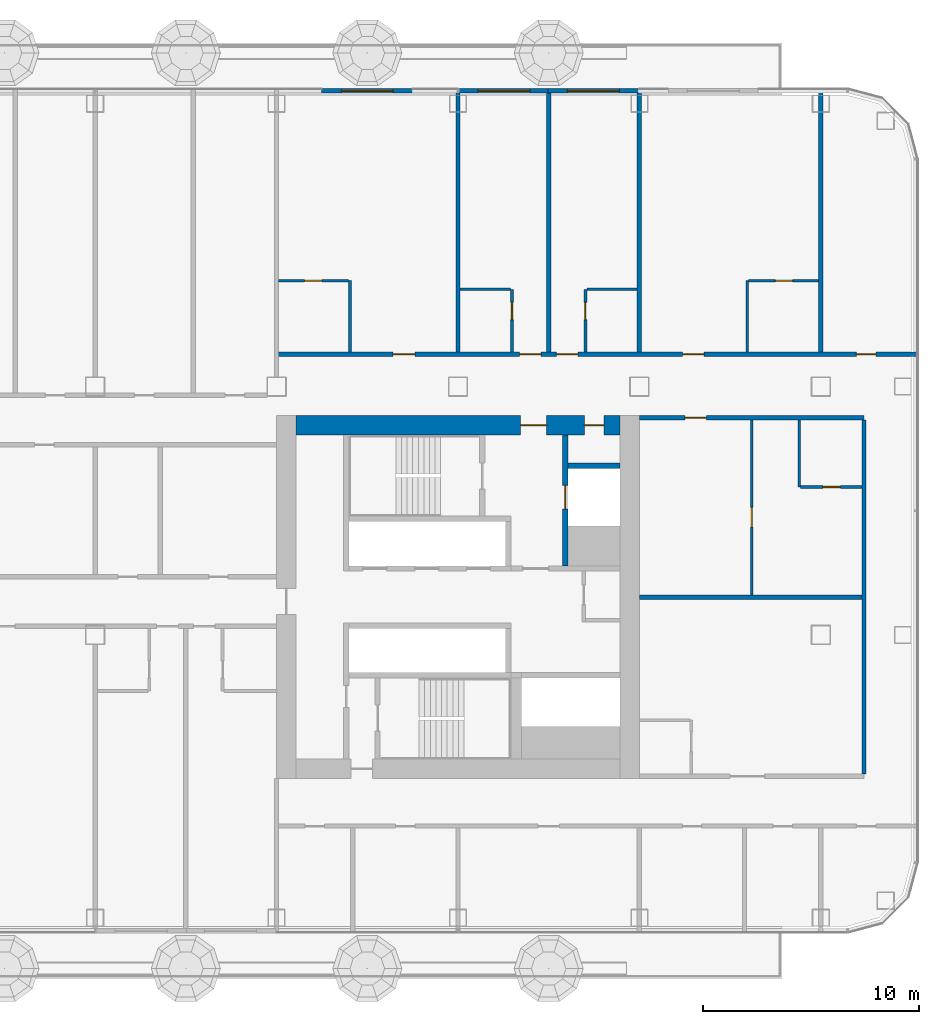
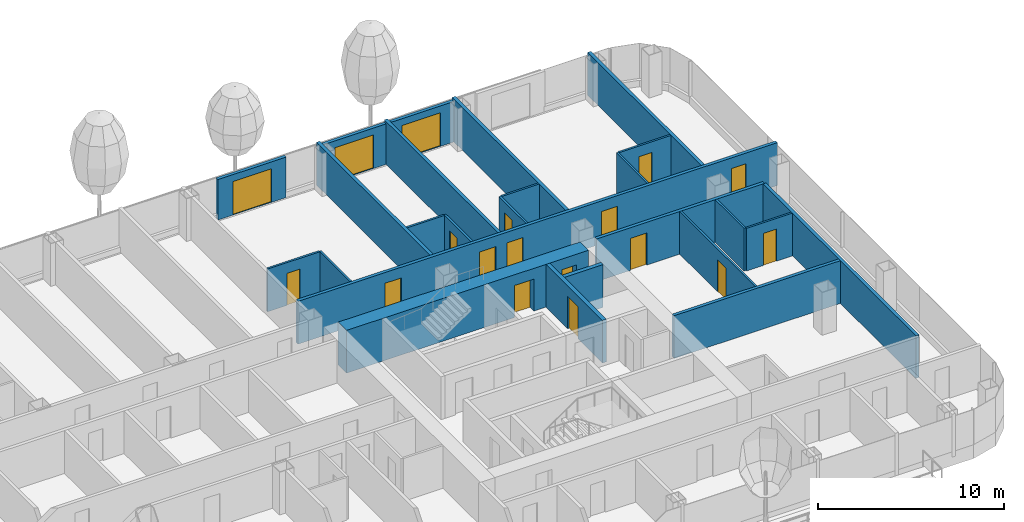
# One storey, part 17 of 33: 25 walls, 18 doors, 18 openings, 1 element without a shape of its own.
"""IFC4 building model written with IfcOpenShell, lengths in metres."""

import ifcopenshell
import ifcopenshell.guid

model = None  # the IFC model being written
_history = None  # IfcOwnerHistory: only IFC2X3 demands one
_inside = {}  # id of a spatial element -> (the spatial element, [elements in it])
_under = {}  # id of a project, library or spatial element -> (it, [spatial elements below it])
_declared = {}  # id of a project -> (the project, [libraries it declares])
_typed = {}  # id of a type object -> (the type object, [elements of that type])
_made_of = {}  # id of a material, layer set ... -> (it, [elements and type objects made of it])


def new_model(schema):
    """Start an empty IFC model of exactly this schema.

    Asked for "IFC4X3", IfcOpenShell would pick the latest addendum, in which some entities
    have other attributes; the version numbers below select the first issue.
    IFC2X3 requires an IfcOwnerHistory on every rooted entity: one is made here for all.
    """
    global model, _history
    if schema == "IFC4X3":
        model = ifcopenshell.file(schema_version=(4, 3, 0, 0))
    else:
        model = ifcopenshell.file(schema=schema)
    _inside.clear()
    _under.clear()
    _declared.clear()
    _typed.clear()
    _made_of.clear()
    _history = None
    if model.schema == "IFC2X3":
        org = make("IfcOrganization", Name="unknown")
        user = make(
            "IfcPersonAndOrganization",
            ThePerson=make("IfcPerson", FamilyName="unknown"),
            TheOrganization=org,
        )
        app = make(
            "IfcApplication",
            ApplicationDeveloper=org,
            Version="unknown",
            ApplicationFullName="unknown",
            ApplicationIdentifier="unknown",
        )
        _history = make(
            "IfcOwnerHistory",
            OwningUser=user,
            OwningApplication=app,
            ChangeAction="ADDED",
            CreationDate=0,
        )
    return model


def make(cls, **values):
    """One entity of the class cls with the attributes given. An attribute that is None is left unset."""
    return model.create_entity(
        cls, **{name: value for name, value in values.items() if value is not None}
    )


def rooted(cls, **values):
    """An entity with a GlobalId (a new one), such as an element, a storey or a relation."""
    return make(cls, GlobalId=ifcopenshell.guid.new(), OwnerHistory=_history, **values)


def si_unit(unit_type, name, prefix=None):
    """IfcSIUnit, for example si_unit("LENGTHUNIT", "METRE", prefix="MILLI")."""
    return make("IfcSIUnit", UnitType=unit_type, Prefix=prefix, Name=name)


def assignment(units):
    """IfcUnitAssignment: the units of a project."""
    return None if units is None else make("IfcUnitAssignment", Units=units)


def point(xyz):
    """IfcCartesianPoint."""
    return None if xyz is None else make("IfcCartesianPoint", Coordinates=xyz)


def direction(xyz):
    """IfcDirection."""
    return None if xyz is None else make("IfcDirection", DirectionRatios=xyz)


def frame(location, z_axis=None, x_axis=None):
    """IfcAxis2Placement3D, a coordinate frame: its origin and axes. An axis left out is left unset."""
    return make(
        "IfcAxis2Placement3D",
        Location=point(location),
        Axis=direction(z_axis),
        RefDirection=direction(x_axis),
    )


def frame_2d(location, x_axis=None):
    """IfcAxis2Placement2D, a coordinate frame in the plane: its origin and x axis."""
    return make(
        "IfcAxis2Placement2D", Location=point(location), RefDirection=direction(x_axis)
    )


def origin():
    """The frame at (0, 0, 0) with its axes left unset."""
    return frame((0.0, 0.0, 0.0))


def place(relative_to, where):
    """IfcLocalPlacement: puts the frame where relative to a parent placement (None: the world)."""
    return make(
        "IfcLocalPlacement", PlacementRelTo=relative_to, RelativePlacement=where
    )


def context(
    kind, dimensions, precision=None, world=None, true_north=None, identifier=None
):
    """IfcGeometricRepresentationContext, for example the 3D "Model" context."""
    return make(
        "IfcGeometricRepresentationContext",
        ContextIdentifier=identifier,
        ContextType=kind,
        CoordinateSpaceDimension=dimensions,
        Precision=precision,
        WorldCoordinateSystem=world,
        TrueNorth=true_north,
    )


def subcontext(parent, identifier, kind, view, scale=None):
    """IfcGeometricRepresentationSubContext, for example "Body" below "Model"."""
    return make(
        "IfcGeometricRepresentationSubContext",
        ContextIdentifier=identifier,
        ContextType=kind,
        ParentContext=parent,
        TargetScale=scale,
        TargetView=view,
    )


def project(units=None, contexts=None):
    """IfcProject with its units and contexts."""
    return rooted(
        "IfcProject",
        Name="project",
        RepresentationContexts=contexts,
        UnitsInContext=assignment(units),
    )


def spatial(cls, under=None, at=None, **own):
    """A site, building, storey or space (cls), placed at a placement, below another one or the project."""
    s = rooted(cls, ObjectPlacement=at, **own)
    if under is not None:
        _under.setdefault(under.id(), (under, []))[1].append(s)
    return s


def profile(cls, at=None, kind="AREA", **sizes):
    """A parametric profile (cls). Its sizes go by their IFC names, for example OverallWidth=200.0."""
    return make(cls, ProfileType=kind, Position=at, **sizes)


def rectangle(**sizes):
    """IfcRectangleProfileDef."""
    return profile("IfcRectangleProfileDef", **sizes)


def extrude(swept, where, along, depth):
    """IfcExtrudedAreaSolid: the profile swept, set in the frame where, extruded along a direction by depth."""
    return make(
        "IfcExtrudedAreaSolid",
        SweptArea=swept,
        Position=where,
        ExtrudedDirection=direction(along),
        Depth=depth,
    )


def shape(context_of_items, identifier, shape_type, items):
    """IfcShapeRepresentation: the items that make up one representation, for example the "Body"."""
    return make(
        "IfcShapeRepresentation",
        ContextOfItems=context_of_items,
        RepresentationIdentifier=identifier,
        RepresentationType=shape_type,
        Items=items,
    )


def material(Name=None, Category=None):
    """IfcMaterial."""
    return make("IfcMaterial", Name=Name, Category=Category)


def layer(
    of_material, thickness, ventilated=None, Name=None, Category=None, Priority=None
):
    """IfcMaterialLayer: one layer of a wall or slab, of a material (None: an air gap)."""
    return make(
        "IfcMaterialLayer",
        Material=of_material,
        LayerThickness=thickness,
        IsVentilated=ventilated,
        Name=Name,
        Category=Category,
        Priority=Priority,
    )


def layer_set(layers, Name=None):
    """IfcMaterialLayerSet."""
    return make("IfcMaterialLayerSet", MaterialLayers=layers, LayerSetName=Name)


def made_of(thing, what):
    """Note that an element or type object is made of a material, layer set ...; save() writes the relation."""
    if what is not None:
        _made_of.setdefault(what.id(), (what, []))[1].append(thing)
    return thing


def type_object(cls, material=None, **own):
    """A type object (cls), such as IfcWallType, which elements share."""
    return made_of(rooted(cls, **own), material)


def element(
    cls,
    number,
    at=None,
    inside=None,
    cuts=None,
    type_object=None,
    material=None,
    context=None,
    identifier="Body",
    shape_type=None,
    held_by="IfcProductDefinitionShape",
    body=None,
    shapes=None,
    **own,
):
    """One element of the class cls, such as IfcWall. Its Tag is "e" and its number.

    at: its placement. inside: the storey or other place that contains it. cuts: it is an
    opening in that element (IfcRelVoidsElement). A single representation is given by context,
    identifier, shape_type and body (its items); several are given by shapes. held_by: the class
    of the entity that holds the representations. save() writes the other relations.
    """
    e = rooted(cls, Tag="e%d" % number, ObjectPlacement=at, **own)
    if body is not None:
        shapes = [shape(context, identifier, shape_type, body)]
    if shapes is not None:
        e.Representation = make(held_by, Representations=shapes)
    if inside is not None:
        _inside.setdefault(inside.id(), (inside, []))[1].append(e)
    if cuts is not None:
        rooted(
            "IfcRelVoidsElement", RelatingBuildingElement=cuts, RelatedOpeningElement=e
        )
    if type_object is not None:
        _typed.setdefault(type_object.id(), (type_object, []))[1].append(e)
    return made_of(e, material)


def fill(opening, filler):
    """IfcRelFillsElement: the door or window that sits in an opening."""
    return rooted(
        "IfcRelFillsElement",
        RelatingOpeningElement=opening,
        RelatedBuildingElement=filler,
    )


def aggregate(whole, parts):
    """IfcRelAggregates: a whole, such as a stair, and the parts it consists of."""
    return rooted("IfcRelAggregates", RelatingObject=whole, RelatedObjects=parts)


def save(model, path):
    """Write the relations noted so far, then the file.

    IfcRelAggregates (storeys below a building ...), IfcRelContainedInSpatialStructure (elements
    in a storey), IfcRelDefinesByType, IfcRelAssociatesMaterial and IfcRelDeclares: one each for
    every whole, place, type object, material and project.
    """
    for whole, parts in _under.values():
        aggregate(whole, parts)
    for where, things in _inside.values():
        rooted(
            "IfcRelContainedInSpatialStructure",
            RelatedElements=things,
            RelatingStructure=where,
        )
    for kind, things in _typed.values():
        rooted("IfcRelDefinesByType", RelatedObjects=things, RelatingType=kind)
    for what, things in _made_of.values():
        rooted("IfcRelAssociatesMaterial", RelatedObjects=things, RelatingMaterial=what)
    for by, libraries in _declared.values():
        rooted("IfcRelDeclares", RelatingContext=by, RelatedDefinitions=libraries)
    model.write(path)


model = new_model("IFC4")

# Units and contexts
model_context = context("Model", 3, precision=1e-05, world=origin(), true_north=direction((0.0, 1.0)))
body_context = subcontext(model_context, "Body", "Model", "MODEL_VIEW")
ifc_project = project(units=[si_unit("LENGTHUNIT", "METRE"), si_unit("AREAUNIT", "SQUARE_METRE"), si_unit("VOLUMEUNIT", "CUBIC_METRE"), si_unit("PLANEANGLEUNIT", "RADIAN"), si_unit("MASSUNIT", "GRAM", prefix="KILO")], contexts=[model_context])

# Site, building, storey
site_placement = place(None, origin())
site = spatial("IfcSite", under=ifc_project, at=site_placement, CompositionType="ELEMENT")
building_placement = place(site_placement, origin())
building = spatial("IfcBuilding", under=site, at=building_placement, Name="Hakoniwa Tower and Hamabe Station Hall", CompositionType="ELEMENT")
storey_placement = place(building_placement, frame((0.0, 0.0, 81.800048828125)))
storey = spatial("IfcBuildingStorey", under=building, at=storey_placement, Name="L22", CompositionType="ELEMENT", Elevation=81.800048828125)

# Wall, opening, door
ifc_material_1 = material(Name="Gypsum board partition", Category="gypsum")
ifc_layer_1 = layer(ifc_material_1, 0.125)
ifc_layer_set_1 = layer_set([ifc_layer_1], Name="Bathroom Partition 125")
wall_type_1 = type_object("IfcWallType", Name="Bathroom Partition 125", PredefinedType="PARTITIONING", material=ifc_layer_set_1)
wall_1_placement = place(storey_placement, frame((41.0625, 5.10009765625, 0.0), z_axis=(0.0, 0.0, 1.0), x_axis=(1.0, 0.0, 0.0)))
wall_1 = element("IfcWall", 1, at=wall_1_placement, inside=storey, type_object=wall_type_1, Name="GW-L22-016", PredefinedType="PARTITIONING", context=body_context, shape_type="SweptSolid", body=[
    extrude(rectangle(XDim=2.83740234375, YDim=0.125, at=frame_2d((1.418701171875, 0.0))), origin(), (0.0, 0.0, 1.0), 2.800048828125),
])
opening_1_placement = place(wall_1_placement, frame((1.03759765625, 0.0, 0.0)))
opening_1 = element("IfcOpeningElement", 2, at=opening_1_placement, cuts=wall_1, Name="Opening GD-G2C0-27", PredefinedType="OPENING", context=body_context, shape_type="SweptSolid", body=[
    extrude(rectangle(XDim=0.800048828125, YDim=2.10009765625, at=frame_2d((0.39990234375, 1.050048828125))), frame((0.0, 0.072509765625, 0.0), z_axis=(0.0, -1.0, 0.0), x_axis=(1.0, 0.0, 0.0)), (0.0, 0.0, 1.0), 0.14501953125),
])
ifc_material_2 = material(Name="Timber door leaf", Category="wood")
door_type_1 = type_object("IfcDoorType", Name="Bathroom Door 800", OperationType="SINGLE_SWING_LEFT", PredefinedType="DOOR", material=ifc_material_2)
door_1_placement = place(opening_1_placement, origin())
door_1 = element("IfcDoor", 3, at=door_1_placement, inside=storey, type_object=door_type_1, Name="Door GD-G2C0-27", OperationType="SINGLE_SWING_LEFT", OverallHeight=2.10009765625, OverallWidth=0.800048828125, PredefinedType="DOOR", context=body_context, shape_type="SweptSolid", body=[
    extrude(rectangle(XDim=0.800048828125, YDim=2.10009765625, at=frame_2d((0.39990234375, 1.050048828125))), frame((0.0, 0.02490234375, 0.0), z_axis=(0.0, -1.0, 0.0), x_axis=(1.0, 0.0, 0.0)), (0.0, 0.0, 1.0), 0.050048828125),
])
fill(opening_1, door_1)

# Walls
for number, where, z_axis, x_axis, name in (
    (4, (25.300048828125, 14.25, 0.0), (0.0, 0.0, 1.0), (1.0, 0.0, 0.0), "GW-L22-031"),
    (5, (31.16259765625, 14.25, 0.0), (0.0, 0.0, 1.0), (1.0, 0.0, 0.0), "GW-L22-032"),
):
    element("IfcWall", number, at=place(storey_placement, frame(where, z_axis=z_axis, x_axis=x_axis)), inside=storey, type_object=wall_type_1, Name=name, PredefinedType="PARTITIONING", context=body_context, shape_type="SweptSolid", body=[
        extrude(rectangle(XDim=2.33740234375, YDim=0.125, at=frame_2d((1.168701171875, 0.0))), origin(), (0.0, 0.0, 1.0), 2.800048828125),
    ])

# Wall, opening, door
wall_2_placement = place(storey_placement, frame((16.89990234375, 14.64990234375, 0.0), z_axis=(0.0, 0.0, 1.0), x_axis=(1.0, 0.0, 0.0)))
wall_2 = element("IfcWall", 6, at=wall_2_placement, inside=storey, type_object=wall_type_1, Name="GW-L22-034", PredefinedType="PARTITIONING", context=body_context, shape_type="SweptSolid", body=[
    extrude(rectangle(XDim=3.237548828125, YDim=0.125, at=frame_2d((1.61865234375, 0.0))), origin(), (0.0, 0.0, 1.0), 2.800048828125),
])
opening_2_placement = place(wall_2_placement, frame((1.199951171875, 0.0, 0.0)))
opening_2 = element("IfcOpeningElement", 7, at=opening_2_placement, cuts=wall_2, Name="Opening GD-G2C0-53", PredefinedType="OPENING", context=body_context, shape_type="SweptSolid", body=[
    extrude(rectangle(XDim=0.800048828125, YDim=2.10009765625, at=frame_2d((0.39990234375, 1.050048828125))), frame((0.0, 0.072509765625, 0.0), z_axis=(0.0, -1.0, 0.0), x_axis=(1.0, 0.0, 0.0)), (0.0, 0.0, 1.0), 0.14501953125),
])
door_2_placement = place(opening_2_placement, origin())
door_2 = element("IfcDoor", 8, at=door_2_placement, inside=storey, type_object=door_type_1, Name="Door GD-G2C0-53", OperationType="SINGLE_SWING_LEFT", OverallHeight=2.10009765625, OverallWidth=0.800048828125, PredefinedType="DOOR", context=body_context, shape_type="SweptSolid", body=[
    extrude(rectangle(XDim=0.800048828125, YDim=2.10009765625, at=frame_2d((0.39990234375, 1.050048828125))), frame((0.0, 0.02490234375, 0.0), z_axis=(0.0, -1.0, 0.0), x_axis=(1.0, 0.0, 0.0)), (0.0, 0.0, 1.0), 0.050048828125),
])
fill(opening_2, door_2)

wall_3_placement = place(storey_placement, frame((38.66259765625, 14.64990234375, 0.0), z_axis=(0.0, 0.0, 1.0), x_axis=(1.0, 0.0, 0.0)))
wall_3 = element("IfcWall", 9, at=wall_3_placement, inside=storey, type_object=wall_type_1, Name="GW-L22-035", PredefinedType="PARTITIONING", context=body_context, shape_type="SweptSolid", body=[
    extrude(rectangle(XDim=3.2373046875, YDim=0.125, at=frame_2d((1.61865234375, 0.0))), origin(), (0.0, 0.0, 1.0), 2.800048828125),
])
opening_3_placement = place(wall_3_placement, frame((1.237548828125, 0.0, 0.0)))
opening_3 = element("IfcOpeningElement", 10, at=opening_3_placement, cuts=wall_3, Name="Opening GD-G2C0-54", PredefinedType="OPENING", context=body_context, shape_type="SweptSolid", body=[
    extrude(rectangle(XDim=0.800048828125, YDim=2.10009765625, at=frame_2d((0.39990234375, 1.050048828125))), frame((0.0, 0.072509765625, 0.0), z_axis=(0.0, -1.0, 0.0), x_axis=(1.0, 0.0, 0.0)), (0.0, 0.0, 1.0), 0.14501953125),
])
door_3_placement = place(opening_3_placement, origin())
door_3 = element("IfcDoor", 11, at=door_3_placement, inside=storey, type_object=door_type_1, Name="Door GD-G2C0-54", OperationType="SINGLE_SWING_RIGHT", OverallHeight=2.10009765625, OverallWidth=0.800048828125, PredefinedType="DOOR", context=body_context, shape_type="SweptSolid", body=[
    extrude(rectangle(XDim=0.800048828125, YDim=2.10009765625, at=frame_2d((0.39990234375, 1.050048828125))), frame((0.0, 0.02490234375, 0.0), z_axis=(0.0, -1.0, 0.0), x_axis=(1.0, 0.0, 0.0)), (0.0, 0.0, 1.0), 0.050048828125),
])
fill(opening_3, door_3)

# Wall
wall_4_placement = place(storey_placement, frame((20.199951171875, 11.35009765625, 0.0), z_axis=(0.0, 0.0, 1.0), x_axis=(0.0, 1.0, 0.0)))
element("IfcWall", 12, at=wall_4_placement, inside=storey, type_object=wall_type_1, Name="GW-L22-084", PredefinedType="PARTITIONING", context=body_context, shape_type="SweptSolid", body=[
    extrude(rectangle(XDim=3.2998046875, YDim=0.125, at=frame_2d((1.64990234375, 0.0))), origin(), (0.0, 0.0, 1.0), 2.800048828125),
])

# Wall, opening, door
wall_5_placement = place(storey_placement, frame((27.699951171875, 11.35009765625, 0.0), z_axis=(0.0, 0.0, 1.0), x_axis=(0.0, 1.0, 0.0)))
wall_5 = element("IfcWall", 13, at=wall_5_placement, inside=storey, type_object=wall_type_1, Name="GW-L22-088", PredefinedType="PARTITIONING", context=body_context, shape_type="SweptSolid", body=[
    extrude(rectangle(XDim=2.89990234375, YDim=0.125, at=frame_2d((1.449951171875, 0.0))), origin(), (0.0, 0.0, 1.0), 2.800048828125),
])
opening_4_placement = place(wall_5_placement, frame((1.5, 0.0, 0.0)))
opening_4 = element("IfcOpeningElement", 14, at=opening_4_placement, cuts=wall_5, Name="Opening GD-G2C0-67", PredefinedType="OPENING", context=body_context, shape_type="SweptSolid", body=[
    extrude(rectangle(XDim=0.800048828125, YDim=2.10009765625, at=frame_2d((0.39990234375, 1.050048828125))), frame((0.0, 0.072509765625, 0.0), z_axis=(0.0, -1.0, 0.0), x_axis=(1.0, 0.0, 0.0)), (0.0, 0.0, 1.0), 0.14501953125),
])
door_4_placement = place(opening_4_placement, origin())
door_4 = element("IfcDoor", 15, at=door_4_placement, inside=storey, type_object=door_type_1, Name="Door GD-G2C0-67", OperationType="SINGLE_SWING_LEFT", OverallHeight=2.10009765625, OverallWidth=0.800048828125, PredefinedType="DOOR", context=body_context, shape_type="SweptSolid", body=[
    extrude(rectangle(XDim=0.800048828125, YDim=2.10009765625, at=frame_2d((0.39990234375, 1.050048828125))), frame((0.0, 0.02490234375, 0.0), z_axis=(0.0, -1.0, 0.0), x_axis=(1.0, 0.0, 0.0)), (0.0, 0.0, 1.0), 0.050048828125),
])
fill(opening_4, door_4)

wall_6_placement = place(storey_placement, frame((31.10009765625, 11.35009765625, 0.0), z_axis=(0.0, 0.0, 1.0), x_axis=(0.0, 1.0, 0.0)))
wall_6 = element("IfcWall", 16, at=wall_6_placement, inside=storey, type_object=wall_type_1, Name="GW-L22-090", PredefinedType="PARTITIONING", context=body_context, shape_type="SweptSolid", body=[
    extrude(rectangle(XDim=2.89990234375, YDim=0.125, at=frame_2d((1.449951171875, 0.0))), origin(), (0.0, 0.0, 1.0), 2.800048828125),
])
opening_5_placement = place(wall_6_placement, frame((1.5, 0.0, 0.0)))
opening_5 = element("IfcOpeningElement", 17, at=opening_5_placement, cuts=wall_6, Name="Opening GD-G2C0-68", PredefinedType="OPENING", context=body_context, shape_type="SweptSolid", body=[
    extrude(rectangle(XDim=0.800048828125, YDim=2.10009765625, at=frame_2d((0.39990234375, 1.050048828125))), frame((0.0, 0.072509765625, 0.0), z_axis=(0.0, -1.0, 0.0), x_axis=(1.0, 0.0, 0.0)), (0.0, 0.0, 1.0), 0.14501953125),
])
door_5_placement = place(opening_5_placement, origin())
door_5 = element("IfcDoor", 18, at=door_5_placement, inside=storey, type_object=door_type_1, Name="Door GD-G2C0-68", OperationType="SINGLE_SWING_RIGHT", OverallHeight=2.10009765625, OverallWidth=0.800048828125, PredefinedType="DOOR", context=body_context, shape_type="SweptSolid", body=[
    extrude(rectangle(XDim=0.800048828125, YDim=2.10009765625, at=frame_2d((0.39990234375, 1.050048828125))), frame((0.0, 0.02490234375, 0.0), z_axis=(0.0, -1.0, 0.0), x_axis=(1.0, 0.0, 0.0)), (0.0, 0.0, 1.0), 0.050048828125),
])
fill(opening_5, door_5)

# Walls
wall_7_placement = place(storey_placement, frame((38.60009765625, 11.35009765625, 0.0), z_axis=(0.0, 0.0, 1.0), x_axis=(0.0, 1.0, 0.0)))
element("IfcWall", 19, at=wall_7_placement, inside=storey, type_object=wall_type_1, Name="GW-L22-095", PredefinedType="PARTITIONING", context=body_context, shape_type="SweptSolid", body=[
    extrude(rectangle(XDim=3.2998046875, YDim=0.125, at=frame_2d((1.64990234375, 0.0))), origin(), (0.0, 0.0, 1.0), 2.800048828125),
])
wall_8_placement = place(storey_placement, frame((41.0, 5.10009765625, 0.0), z_axis=(0.0, 0.0, 1.0), x_axis=(0.0, 1.0, 0.0)))
element("IfcWall", 20, at=wall_8_placement, inside=storey, type_object=wall_type_1, Name="GW-L22-097", PredefinedType="PARTITIONING", context=body_context, shape_type="SweptSolid", body=[
    extrude(rectangle(XDim=3.099853515625, YDim=0.125, at=frame_2d((1.5498046875, 0.0))), origin(), (0.0, 0.0, 1.0), 2.800048828125),
])

# Wall, openings, doors
ifc_material_3 = material(Name="Concrete C72", Category="concrete")
ifc_layer_2 = layer(ifc_material_3, 0.89990234375)
ifc_layer_set_2 = layer_set([ifc_layer_2], Name="CORE WALL 900 C72")
wall_type_2 = type_object("IfcWallType", Name="CORE WALL 900 C72", PredefinedType="SHEAR", material=ifc_layer_set_2)
wall_9_placement = place(storey_placement, frame((17.699951171875, 7.949951171875, 0.0), z_axis=(0.0, 0.0, 1.0), x_axis=(1.0, 0.0, 0.0)))
wall_9 = element("IfcWall", 21, at=wall_9_placement, inside=storey, type_object=wall_type_2, Name="Core wall NORTH east", PredefinedType="SHEAR", context=body_context, shape_type="SweptSolid", body=[
    extrude(rectangle(XDim=15.0, YDim=0.89990234375, at=frame_2d((7.5, 0.0))), origin(), (0.0, 0.0, 1.0), 2.800048828125),
])
opening_6_placement = place(wall_9_placement, frame((10.39990234375, 0.0, 0.0)))
opening_6 = element("IfcOpeningElement", 22, at=opening_6_placement, cuts=wall_9, Name="Opening CD-E-FN1-12", PredefinedType="OPENING", context=body_context, shape_type="SweptSolid", body=[
    extrude(rectangle(XDim=1.199951171875, YDim=2.10009765625, at=frame_2d((0.60009765625, 1.050048828125))), frame((0.0, 0.4599609375, 0.0), z_axis=(0.0, -1.0, 0.0), x_axis=(1.0, 0.0, 0.0)), (0.0, 0.0, 1.0), 0.919921875),
])
opening_7_placement = place(wall_9_placement, frame((13.35009765625, 0.0, 0.0)))
opening_7 = element("IfcOpeningElement", 23, at=opening_7_placement, cuts=wall_9, Name="Opening CD-E-FN2-9", PredefinedType="OPENING", context=body_context, shape_type="SweptSolid", body=[
    extrude(rectangle(XDim=0.89990234375, YDim=2.10009765625, at=frame_2d((0.449951171875, 1.050048828125))), frame((0.0, 0.4599609375, 0.0), z_axis=(0.0, -1.0, 0.0), x_axis=(1.0, 0.0, 0.0)), (0.0, 0.0, 1.0), 0.919921875),
])
ifc_material_4 = material(Name="Steel fire door", Category="steel")
door_type_2 = type_object("IfcDoorType", Name="CORE DOOR 1200 FD60", OperationType="DOUBLE_DOOR_SINGLE_SWING", PredefinedType="DOOR", material=ifc_material_4)
door_6_placement = place(opening_6_placement, origin())
door_6 = element("IfcDoor", 24, at=door_6_placement, inside=storey, type_object=door_type_2, Name="Stair vestibule door to the fire-fighting lobby", OperationType="DOUBLE_DOOR_SINGLE_SWING", OverallHeight=2.10009765625, OverallWidth=1.199951171875, PredefinedType="DOOR", context=body_context, shape_type="SweptSolid", body=[
    extrude(rectangle(XDim=1.199951171875, YDim=2.10009765625, at=frame_2d((0.60009765625, 1.050048828125))), frame((0.0, 0.02490234375, 0.0), z_axis=(0.0, -1.0, 0.0), x_axis=(1.0, 0.0, 0.0)), (0.0, 0.0, 1.0), 0.050048828125),
])
fill(opening_6, door_6)
ifc_material_5 = material(Name="Steel fire door", Category="steel")
door_type_3 = type_object("IfcDoorType", Name="CORE DOOR 900 FD30", OperationType="NOTDEFINED", PredefinedType="DOOR", material=ifc_material_5)
door_7_placement = place(opening_7_placement, origin())
door_7 = element("IfcDoor", 25, at=door_7_placement, inside=storey, type_object=door_type_3, Name="Riser access door", OperationType="SINGLE_SWING_RIGHT", OverallHeight=2.10009765625, OverallWidth=0.89990234375, PredefinedType="DOOR", context=body_context, shape_type="SweptSolid", body=[
    extrude(rectangle(XDim=0.89990234375, YDim=2.10009765625, at=frame_2d((0.449951171875, 1.050048828125))), frame((0.0, 0.02490234375, 0.0), z_axis=(0.0, -1.0, 0.0), x_axis=(1.0, 0.0, 0.0)), (0.0, 0.0, 1.0), 0.050048828125),
])
fill(opening_7, door_7)

# Wall, opening, door
ifc_material_6 = material(Name="Concrete C72", Category="concrete")
ifc_layer_3 = layer(ifc_material_6, 0.25)
ifc_layer_set_3 = layer_set([ifc_layer_3], Name="CORE WEB WALL 250 C72")
wall_type_3 = type_object("IfcWallType", Name="CORE WEB WALL 250 C72", PredefinedType="SHEAR", material=ifc_layer_set_3)
wall_10_placement = place(storey_placement, frame((30.175048828125, 1.449951171875, 0.0), z_axis=(0.0, 0.0, 1.0), x_axis=(0.0, 1.0, 0.0)))
wall_10 = element("IfcWall", 26, at=wall_10_placement, inside=storey, type_object=wall_type_3, Name="Core wall FFF east", PredefinedType="SHEAR", context=body_context, shape_type="SweptSolid", body=[
    extrude(rectangle(XDim=6.050048828125, YDim=0.25, at=frame_2d((3.02490234375, 0.0))), origin(), (0.0, 0.0, 1.0), 2.800048828125),
])
opening_8_placement = place(wall_10_placement, frame((2.625, 0.0, 0.0)))
opening_8 = element("IfcOpeningElement", 27, at=opening_8_placement, cuts=wall_10, Name="Opening LD-FF2", PredefinedType="OPENING", context=body_context, shape_type="SweptSolid", body=[
    extrude(rectangle(XDim=1.10009765625, YDim=2.10009765625, at=frame_2d((0.550048828125, 1.050048828125))), frame((0.0, 0.135009765625, 0.0), z_axis=(0.0, -1.0, 0.0), x_axis=(1.0, 0.0, 0.0)), (0.0, 0.0, 1.0), 0.27001953125),
])
ifc_material_7 = material(Name="Stainless steel SUS304", Category="steel")
door_type_4 = type_object("IfcDoorType", Name="LIFT LANDING DOOR 1100 FD60", OperationType="DOUBLE_DOOR_SLIDING", PredefinedType="DOOR", material=ifc_material_7)
door_8_placement = place(opening_8_placement, origin())
door_8 = element("IfcDoor", 28, at=door_8_placement, inside=storey, type_object=door_type_4, Name="Lift landing door FF2 L22", OperationType="DOUBLE_DOOR_SLIDING", OverallHeight=2.10009765625, OverallWidth=1.10009765625, PredefinedType="DOOR", context=body_context, shape_type="SweptSolid", body=[
    extrude(rectangle(XDim=1.10009765625, YDim=2.10009765625, at=frame_2d((0.550048828125, 1.050048828125))), frame((0.0, 0.02490234375, 0.0), z_axis=(0.0, -1.0, 0.0), x_axis=(1.0, 0.0, 0.0)), (0.0, 0.0, 1.0), 0.050048828125),
])
fill(opening_8, door_8)

# Wall
wall_11_placement = place(storey_placement, frame((30.300048828125, 6.074951171875, 0.0), z_axis=(0.0, 0.0, 1.0), x_axis=(1.0, 0.0, 0.0)))
element("IfcWall", 29, at=wall_11_placement, inside=storey, type_object=wall_type_3, Name="Core wall C2 east", PredefinedType="SHEAR", context=body_context, shape_type="SweptSolid", body=[
    extrude(rectangle(XDim=2.39990234375, YDim=0.25, at=frame_2d((1.199951171875, 0.0))), origin(), (0.0, 0.0, 1.0), 2.800048828125),
])

# Wall, opening, door
ifc_material_8 = material(Name="Fire-rated gypsum board partition", Category="gypsum")
ifc_layer_4 = layer(ifc_material_8, 0.199951171875)
ifc_layer_set_4 = layer_set([ifc_layer_4], Name="Corridor Wall 200")
wall_type_4 = type_object("IfcWallType", Name="Corridor Wall 200", PredefinedType="PARTITIONING", material=ifc_layer_set_4)
wall_12_placement = place(storey_placement, frame((33.60009765625, 8.300048828125, 0.0), z_axis=(0.0, 0.0, 1.0), x_axis=(1.0, 0.0, 0.0)))
wall_12 = element("IfcWall", 30, at=wall_12_placement, inside=storey, type_object=wall_type_4, Name="GW-L22-020", PredefinedType="PARTITIONING", context=body_context, shape_type="SweptSolid", body=[
    extrude(rectangle(XDim=10.39990234375, YDim=0.199951171875, at=frame_2d((5.199951171875, 0.0))), origin(), (0.0, 0.0, 1.0), 2.800048828125),
])
opening_9_placement = place(wall_12_placement, frame((2.10009765625, 0.0, 0.0)))
opening_9 = element("IfcOpeningElement", 31, at=opening_9_placement, cuts=wall_12, Name="Opening GD-G2C0-33", PredefinedType="OPENING", context=body_context, shape_type="SweptSolid", body=[
    extrude(rectangle(XDim=1.0, YDim=2.10009765625, at=frame_2d((0.5, 1.050048828125))), frame((0.0, 0.10986328125, 0.0), z_axis=(0.0, -1.0, 0.0), x_axis=(1.0, 0.0, 0.0)), (0.0, 0.0, 1.0), 0.219970703125),
])
ifc_material_9 = material(Name="Timber door leaf", Category="wood")
door_type_5 = type_object("IfcDoorType", Name="Guest Entrance Door 1000", OperationType="SINGLE_SWING_LEFT", PredefinedType="DOOR", material=ifc_material_9)
door_9_placement = place(opening_9_placement, origin())
door_9 = element("IfcDoor", 32, at=door_9_placement, inside=storey, type_object=door_type_5, Name="Door GD-G2C0-33", OperationType="SINGLE_SWING_RIGHT", OverallHeight=2.10009765625, OverallWidth=1.0, PredefinedType="DOOR", context=body_context, shape_type="SweptSolid", body=[
    extrude(rectangle(XDim=1.0, YDim=2.10009765625, at=frame_2d((0.5, 1.050048828125))), frame((0.0, 0.02490234375, 0.0), z_axis=(0.0, -1.0, 0.0), x_axis=(1.0, 0.0, 0.0)), (0.0, 0.0, 1.0), 0.050048828125),
])
fill(opening_9, door_9)

# Wall, openings, doors
wall_13_placement = place(storey_placement, frame((16.800048828125, 11.25, 0.0), z_axis=(0.0, 0.0, 1.0), x_axis=(1.0, 0.0, 0.0)))
wall_13 = element("IfcWall", 33, at=wall_13_placement, inside=storey, type_object=wall_type_4, Name="GW-L22-023", PredefinedType="PARTITIONING", context=body_context, shape_type="SweptSolid", body=[
    extrude(rectangle(XDim=29.699951171875, YDim=0.199951171875, at=frame_2d((14.85009765625, 0.0))), origin(), (0.0, 0.0, 1.0), 2.800048828125),
])
opening_10_placement = place(wall_13_placement, frame((5.39990234375, 0.0, 0.0)))
opening_10 = element("IfcOpeningElement", 34, at=opening_10_placement, cuts=wall_13, Name="Opening GD-G2C0-47", PredefinedType="OPENING", context=body_context, shape_type="SweptSolid", body=[
    extrude(rectangle(XDim=1.0, YDim=2.10009765625, at=frame_2d((0.5, 1.050048828125))), frame((0.0, 0.10986328125, 0.0), z_axis=(0.0, -1.0, 0.0), x_axis=(1.0, 0.0, 0.0)), (0.0, 0.0, 1.0), 0.219970703125),
])
opening_11_placement = place(wall_13_placement, frame((11.25, 0.0, 0.0)))
opening_11 = element("IfcOpeningElement", 35, at=opening_11_placement, cuts=wall_13, Name="Opening GD-G2C0-48", PredefinedType="OPENING", context=body_context, shape_type="SweptSolid", body=[
    extrude(rectangle(XDim=1.0, YDim=2.10009765625, at=frame_2d((0.5, 1.050048828125))), frame((0.0, 0.10986328125, 0.0), z_axis=(0.0, -1.0, 0.0), x_axis=(1.0, 0.0, 0.0)), (0.0, 0.0, 1.0), 0.219970703125),
])
opening_12_placement = place(wall_13_placement, frame((12.949951171875, 0.0, 0.0)))
opening_12 = element("IfcOpeningElement", 36, at=opening_12_placement, cuts=wall_13, Name="Opening GD-G2C0-49", PredefinedType="OPENING", context=body_context, shape_type="SweptSolid", body=[
    extrude(rectangle(XDim=1.0, YDim=2.10009765625, at=frame_2d((0.5, 1.050048828125))), frame((0.0, 0.10986328125, 0.0), z_axis=(0.0, -1.0, 0.0), x_axis=(1.0, 0.0, 0.0)), (0.0, 0.0, 1.0), 0.219970703125),
])
opening_13_placement = place(wall_13_placement, frame((18.800048828125, 0.0, 0.0)))
opening_13 = element("IfcOpeningElement", 37, at=opening_13_placement, cuts=wall_13, Name="Opening GD-G2C0-50", PredefinedType="OPENING", context=body_context, shape_type="SweptSolid", body=[
    extrude(rectangle(XDim=1.0, YDim=2.10009765625, at=frame_2d((0.5, 1.050048828125))), frame((0.0, 0.10986328125, 0.0), z_axis=(0.0, -1.0, 0.0), x_axis=(1.0, 0.0, 0.0)), (0.0, 0.0, 1.0), 0.219970703125),
])
opening_14_placement = place(wall_13_placement, frame((26.85009765625, 0.0, 0.0)))
opening_14 = element("IfcOpeningElement", 38, at=opening_14_placement, cuts=wall_13, Name="Opening GD-G2C0-51", PredefinedType="OPENING", context=body_context, shape_type="SweptSolid", body=[
    extrude(rectangle(XDim=0.89990234375, YDim=2.10009765625, at=frame_2d((0.449951171875, 1.050048828125))), frame((0.0, 0.10986328125, 0.0), z_axis=(0.0, -1.0, 0.0), x_axis=(1.0, 0.0, 0.0)), (0.0, 0.0, 1.0), 0.219970703125),
])
door_10_placement = place(opening_10_placement, origin())
door_10 = element("IfcDoor", 39, at=door_10_placement, inside=storey, type_object=door_type_5, Name="Door GD-G2C0-47", OperationType="SINGLE_SWING_LEFT", OverallHeight=2.10009765625, OverallWidth=1.0, PredefinedType="DOOR", context=body_context, shape_type="SweptSolid", body=[
    extrude(rectangle(XDim=1.0, YDim=2.10009765625, at=frame_2d((0.5, 1.050048828125))), frame((0.0, 0.02490234375, 0.0), z_axis=(0.0, -1.0, 0.0), x_axis=(1.0, 0.0, 0.0)), (0.0, 0.0, 1.0), 0.050048828125),
])
fill(opening_10, door_10)
door_11_placement = place(opening_11_placement, origin())
door_11 = element("IfcDoor", 40, at=door_11_placement, inside=storey, type_object=door_type_5, Name="Door GD-G2C0-48", OperationType="SINGLE_SWING_RIGHT", OverallHeight=2.10009765625, OverallWidth=1.0, PredefinedType="DOOR", context=body_context, shape_type="SweptSolid", body=[
    extrude(rectangle(XDim=1.0, YDim=2.10009765625, at=frame_2d((0.5, 1.050048828125))), frame((0.0, 0.02490234375, 0.0), z_axis=(0.0, -1.0, 0.0), x_axis=(1.0, 0.0, 0.0)), (0.0, 0.0, 1.0), 0.050048828125),
])
fill(opening_11, door_11)
door_12_placement = place(opening_12_placement, origin())
door_12 = element("IfcDoor", 41, at=door_12_placement, inside=storey, type_object=door_type_5, Name="Door GD-G2C0-49", OperationType="SINGLE_SWING_LEFT", OverallHeight=2.10009765625, OverallWidth=1.0, PredefinedType="DOOR", context=body_context, shape_type="SweptSolid", body=[
    extrude(rectangle(XDim=1.0, YDim=2.10009765625, at=frame_2d((0.5, 1.050048828125))), frame((0.0, 0.02490234375, 0.0), z_axis=(0.0, -1.0, 0.0), x_axis=(1.0, 0.0, 0.0)), (0.0, 0.0, 1.0), 0.050048828125),
])
fill(opening_12, door_12)
door_13_placement = place(opening_13_placement, origin())
door_13 = element("IfcDoor", 42, at=door_13_placement, inside=storey, type_object=door_type_5, Name="Door GD-G2C0-50", OperationType="SINGLE_SWING_LEFT", OverallHeight=2.10009765625, OverallWidth=1.0, PredefinedType="DOOR", context=body_context, shape_type="SweptSolid", body=[
    extrude(rectangle(XDim=1.0, YDim=2.10009765625, at=frame_2d((0.5, 1.050048828125))), frame((0.0, 0.02490234375, 0.0), z_axis=(0.0, -1.0, 0.0), x_axis=(1.0, 0.0, 0.0)), (0.0, 0.0, 1.0), 0.050048828125),
])
fill(opening_13, door_13)
ifc_material_10 = material(Name="Timber door leaf", Category="wood")
door_type_6 = type_object("IfcDoorType", Name="Service Door 900", OperationType="SINGLE_SWING_LEFT", PredefinedType="DOOR", material=ifc_material_10)
door_14_placement = place(opening_14_placement, origin())
door_14 = element("IfcDoor", 43, at=door_14_placement, inside=storey, type_object=door_type_6, Name="Door GD-G2C0-51", OperationType="SINGLE_SWING_RIGHT", OverallHeight=2.10009765625, OverallWidth=0.89990234375, PredefinedType="DOOR", context=body_context, shape_type="SweptSolid", body=[
    extrude(rectangle(XDim=0.89990234375, YDim=2.10009765625, at=frame_2d((0.449951171875, 1.050048828125))), frame((0.0, 0.02490234375, 0.0), z_axis=(0.0, -1.0, 0.0), x_axis=(1.0, 0.0, 0.0)), (0.0, 0.0, 1.0), 0.050048828125),
])
fill(opening_14, door_14)

# Curtain wall, walls, openings, doors
ifc_material_11 = material(Name="Dark low-e laminated glass", Category="glass")
ifc_layer_5 = layer(ifc_material_11, 0.199951171875)
ifc_layer_set_5 = layer_set([ifc_layer_5], Name="CW-1 UNITISED GUEST")
curtain_wall_type = type_object("IfcCurtainWallType", Name="CW-1 UNITISED GUEST", PredefinedType="NOTDEFINED", material=ifc_layer_set_5)
curtain_wall_placement = place(storey_placement, origin())
curtain_wall = element("IfcCurtainWall", 44, at=curtain_wall_placement, inside=storey, type_object=curtain_wall_type, Name="CW-1 curtain wall", PredefinedType="NOTDEFINED")
ifc_material_12 = material(Name="Dark glass-faced aluminium panel", Category="aluminium")
ifc_layer_6 = layer(ifc_material_12, 0.199951171875)
ifc_layer_set_6 = layer_set([ifc_layer_6], Name="DOOR BAY WALL")
wall_type_5 = type_object("IfcWallType", Name="DOOR BAY WALL", PredefinedType="NOTDEFINED", material=ifc_layer_set_6)
wall_14_placement = place(storey_placement, frame((33.580078125, 23.449951171875, 0.0), z_axis=(0.0, 0.0, 1.0), x_axis=(-1.0, 0.0, 0.0)))
wall_14 = element("IfcWall", 45, at=wall_14_placement, type_object=wall_type_5, Name="Door bay wall", PredefinedType="NOTDEFINED", context=body_context, shape_type="SweptSolid", body=[
    extrude(rectangle(XDim=4.219970703125, YDim=0.199951171875, at=frame_2d((2.10986328125, 0.0))), origin(), (0.0, 0.0, 1.0), 2.64990234375),
])
opening_15_placement = place(wall_14_placement, frame((0.909912109375, 0.0, 0.0)))
opening_15 = element("IfcOpeningElement", 46, at=opening_15_placement, cuts=wall_14, Name="Opening BD-N03-11", PredefinedType="OPENING", context=body_context, shape_type="SweptSolid", body=[
    extrude(rectangle(XDim=2.39990234375, YDim=2.199951171875, at=frame_2d((1.199951171875, 1.10009765625))), frame((0.0, 0.10986328125, 0.0), z_axis=(0.0, -1.0, 0.0), x_axis=(1.0, 0.0, 0.0)), (0.0, 0.0, 1.0), 0.219970703125),
])
ifc_material_13 = material(Name="Dark low-e laminated glass", Category="glass")
door_type_7 = type_object("IfcDoorType", Name="BALCONY SLIDING DOOR 2400X2200", OperationType="SLIDING_TO_LEFT", PredefinedType="DOOR", material=ifc_material_13)
door_15_placement = place(opening_15_placement, frame((2.39990234375, 0.0, 0.0), z_axis=(0.0, 0.0, 1.0), x_axis=(-1.0, 0.0, 0.0)))
door_15 = element("IfcDoor", 47, at=door_15_placement, inside=storey, type_object=door_type_7, Name="Balcony sliding door", OperationType="SLIDING_TO_LEFT", OverallHeight=2.199951171875, OverallWidth=2.39990234375, PredefinedType="DOOR", context=body_context, shape_type="SweptSolid", body=[
    extrude(rectangle(XDim=2.39990234375, YDim=2.199951171875, at=frame_2d((1.199951171875, 1.10009765625))), frame((0.0, 0.02490234375, 0.0), z_axis=(0.0, -1.0, 0.0), x_axis=(1.0, 0.0, 0.0)), (0.0, 0.0, 1.0), 0.050048828125),
])
fill(opening_15, door_15)
wall_15_placement = place(storey_placement, frame((29.43994140625, 23.449951171875, 0.0), z_axis=(0.0, 0.0, 1.0), x_axis=(-1.0, 0.0, 0.0)))
wall_15 = element("IfcWall", 48, at=wall_15_placement, type_object=wall_type_5, Name="Door bay wall", PredefinedType="NOTDEFINED", context=body_context, shape_type="SweptSolid", body=[
    extrude(rectangle(XDim=4.219970703125, YDim=0.199951171875, at=frame_2d((2.10986328125, 0.0))), origin(), (0.0, 0.0, 1.0), 2.64990234375),
])
opening_16_placement = place(wall_15_placement, frame((0.909912109375, 0.0, 0.0)))
opening_16 = element("IfcOpeningElement", 49, at=opening_16_placement, cuts=wall_15, Name="Opening BD-N03-10", PredefinedType="OPENING", context=body_context, shape_type="SweptSolid", body=[
    extrude(rectangle(XDim=2.39990234375, YDim=2.199951171875, at=frame_2d((1.199951171875, 1.10009765625))), frame((0.0, 0.10986328125, 0.0), z_axis=(0.0, -1.0, 0.0), x_axis=(1.0, 0.0, 0.0)), (0.0, 0.0, 1.0), 0.219970703125),
])
door_16_placement = place(opening_16_placement, frame((2.39990234375, 0.0, 0.0), z_axis=(0.0, 0.0, 1.0), x_axis=(-1.0, 0.0, 0.0)))
door_16 = element("IfcDoor", 50, at=door_16_placement, inside=storey, type_object=door_type_7, Name="Balcony sliding door", OperationType="SLIDING_TO_LEFT", OverallHeight=2.199951171875, OverallWidth=2.39990234375, PredefinedType="DOOR", context=body_context, shape_type="SweptSolid", body=[
    extrude(rectangle(XDim=2.39990234375, YDim=2.199951171875, at=frame_2d((1.199951171875, 1.10009765625))), frame((0.0, 0.02490234375, 0.0), z_axis=(0.0, -1.0, 0.0), x_axis=(1.0, 0.0, 0.0)), (0.0, 0.0, 1.0), 0.050048828125),
])
fill(opening_16, door_16)
wall_16_placement = place(storey_placement, frame((23.110107421875, 23.449951171875, 0.0), z_axis=(0.0, 0.0, 1.0), x_axis=(-1.0, 0.0, 0.0)))
wall_16 = element("IfcWall", 51, at=wall_16_placement, type_object=wall_type_5, Name="Door bay wall", PredefinedType="NOTDEFINED", context=body_context, shape_type="SweptSolid", body=[
    extrude(rectangle(XDim=4.22021484375, YDim=0.199951171875, at=frame_2d((2.110107421875, 0.0))), origin(), (0.0, 0.0, 1.0), 2.64990234375),
])
opening_17_placement = place(wall_16_placement, frame((0.909912109375, 0.0, 0.0)))
opening_17 = element("IfcOpeningElement", 52, at=opening_17_placement, cuts=wall_16, Name="Opening BD-N03-9", PredefinedType="OPENING", context=body_context, shape_type="SweptSolid", body=[
    extrude(rectangle(XDim=2.39990234375, YDim=2.199951171875, at=frame_2d((1.199951171875, 1.10009765625))), frame((0.0, 0.10986328125, 0.0), z_axis=(0.0, -1.0, 0.0), x_axis=(1.0, 0.0, 0.0)), (0.0, 0.0, 1.0), 0.219970703125),
])
door_17_placement = place(opening_17_placement, frame((2.39990234375, 0.0, 0.0), z_axis=(0.0, 0.0, 1.0), x_axis=(-1.0, 0.0, 0.0)))
door_17 = element("IfcDoor", 53, at=door_17_placement, inside=storey, type_object=door_type_7, Name="Balcony sliding door", OperationType="SLIDING_TO_LEFT", OverallHeight=2.199951171875, OverallWidth=2.39990234375, PredefinedType="DOOR", context=body_context, shape_type="SweptSolid", body=[
    extrude(rectangle(XDim=2.39990234375, YDim=2.199951171875, at=frame_2d((1.199951171875, 1.10009765625))), frame((0.0, 0.02490234375, 0.0), z_axis=(0.0, -1.0, 0.0), x_axis=(1.0, 0.0, 0.0)), (0.0, 0.0, 1.0), 0.050048828125),
])
fill(opening_17, door_17)
aggregate(curtain_wall, [wall_14, wall_15, wall_16])

# Walls
ifc_material_14 = material(Name="Fire-rated gypsum board partition", Category="gypsum")
ifc_layer_7 = layer(ifc_material_14, 0.199951171875)
ifc_layer_set_7 = layer_set([ifc_layer_7], Name="Party Wall 200")
wall_type_6 = type_object("IfcWallType", Name="Party Wall 200", PredefinedType="PARTITIONING", material=ifc_layer_set_7)
wall_17_placement = place(storey_placement, frame((33.60009765625, 0.0, 0.0), z_axis=(0.0, 0.0, 1.0), x_axis=(1.0, 0.0, 0.0)))
element("IfcWall", 54, at=wall_17_placement, inside=storey, type_object=wall_type_6, Name="GW-L22-014", PredefinedType="PARTITIONING", context=body_context, shape_type="SweptSolid", body=[
    extrude(rectangle(XDim=10.2998046875, YDim=0.199951171875, at=frame_2d((5.14990234375, 0.0))), origin(), (0.0, 0.0, 1.0), 2.800048828125),
])
for number, where, z_axis, x_axis, name in (
    (55, (25.199951171875, 11.35009765625, 0.0), (0.0, 0.0, 1.0), (0.0, 1.0, 0.0), "GW-L22-087"),
    (56, (29.39990234375, 11.35009765625, 0.0), (0.0, 0.0, 1.0), (0.0, 1.0, 0.0), "GW-L22-089"),
    (57, (33.60009765625, 11.35009765625, 0.0), (0.0, 0.0, 1.0), (0.0, 1.0, 0.0), "GW-L22-092"),
    (58, (42.0, 11.35009765625, 0.0), (0.0, 0.0, 1.0), (0.0, 1.0, 0.0), "GW-L22-099"),
):
    element("IfcWall", number, at=place(storey_placement, frame(where, z_axis=z_axis, x_axis=x_axis)), inside=storey, type_object=wall_type_6, Name=name, PredefinedType="PARTITIONING", context=body_context, shape_type="SweptSolid", body=[
        extrude(rectangle(XDim=12.199951171875, YDim=0.199951171875, at=frame_2d((6.10009765625, 0.0))), origin(), (0.0, 0.0, 1.0), 2.800048828125),
    ])
wall_18_placement = place(storey_placement, frame((44.0, -8.199951171875, 0.0), z_axis=(0.0, 0.0, 1.0), x_axis=(0.0, 1.0, 0.0)))
element("IfcWall", 59, at=wall_18_placement, inside=storey, type_object=wall_type_6, Name="GW-L22-100", PredefinedType="PARTITIONING", context=body_context, shape_type="SweptSolid", body=[
    extrude(rectangle(XDim=16.39990234375, YDim=0.199951171875, at=frame_2d((8.199951171875, 0.0))), origin(), (0.0, 0.0, 1.0), 2.800048828125),
])

# Wall, opening, door
ifc_material_15 = material(Name="Gypsum board partition", Category="gypsum")
ifc_layer_8 = layer(ifc_material_15, 0.125)
ifc_layer_set_8 = layer_set([ifc_layer_8], Name="Room Partition 125")
wall_type_7 = type_object("IfcWallType", Name="Room Partition 125", PredefinedType="PARTITIONING", material=ifc_layer_set_8)
wall_19_placement = place(storey_placement, frame((38.800048828125, 0.10009765625, 0.0), z_axis=(0.0, 0.0, 1.0), x_axis=(0.0, 1.0, 0.0)))
wall_19 = element("IfcWall", 60, at=wall_19_placement, inside=storey, type_object=wall_type_7, Name="GW-L22-096", PredefinedType="PARTITIONING", context=body_context, shape_type="SweptSolid", body=[
    extrude(rectangle(XDim=8.099853515625, YDim=0.125, at=frame_2d((4.0498046875, 0.0))), origin(), (0.0, 0.0, 1.0), 2.800048828125),
])
opening_18_placement = place(wall_19_placement, frame((3.14990234375, 0.0, 0.0)))
opening_18 = element("IfcOpeningElement", 61, at=opening_18_placement, cuts=wall_19, Name="Opening GD-G2C0-70", PredefinedType="OPENING", context=body_context, shape_type="SweptSolid", body=[
    extrude(rectangle(XDim=0.89990234375, YDim=2.10009765625, at=frame_2d((0.449951171875, 1.050048828125))), frame((0.0, 0.072509765625, 0.0), z_axis=(0.0, -1.0, 0.0), x_axis=(1.0, 0.0, 0.0)), (0.0, 0.0, 1.0), 0.14501953125),
])
ifc_material_16 = material(Name="Timber door leaf", Category="wood")
door_type_8 = type_object("IfcDoorType", Name="Suite Interior Door 900", OperationType="SINGLE_SWING_LEFT", PredefinedType="DOOR", material=ifc_material_16)
door_18_placement = place(opening_18_placement, origin())
door_18 = element("IfcDoor", 62, at=door_18_placement, inside=storey, type_object=door_type_8, Name="Door GD-G2C0-70", OperationType="SINGLE_SWING_RIGHT", OverallHeight=2.10009765625, OverallWidth=0.89990234375, PredefinedType="DOOR", context=body_context, shape_type="SweptSolid", body=[
    extrude(rectangle(XDim=0.89990234375, YDim=2.10009765625, at=frame_2d((0.449951171875, 1.050048828125))), frame((0.0, 0.02490234375, 0.0), z_axis=(0.0, -1.0, 0.0), x_axis=(1.0, 0.0, 0.0)), (0.0, 0.0, 1.0), 0.050048828125),
])
fill(opening_18, door_18)

save(model, "model.ifc")
